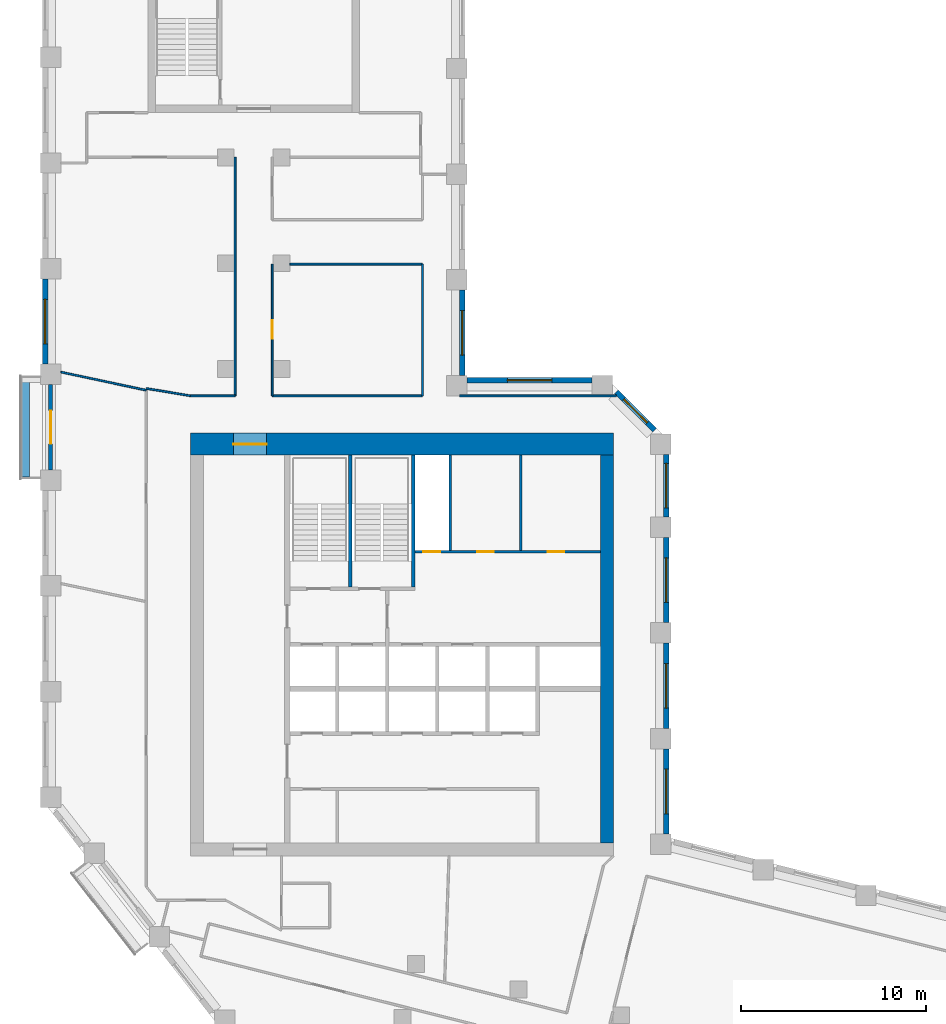
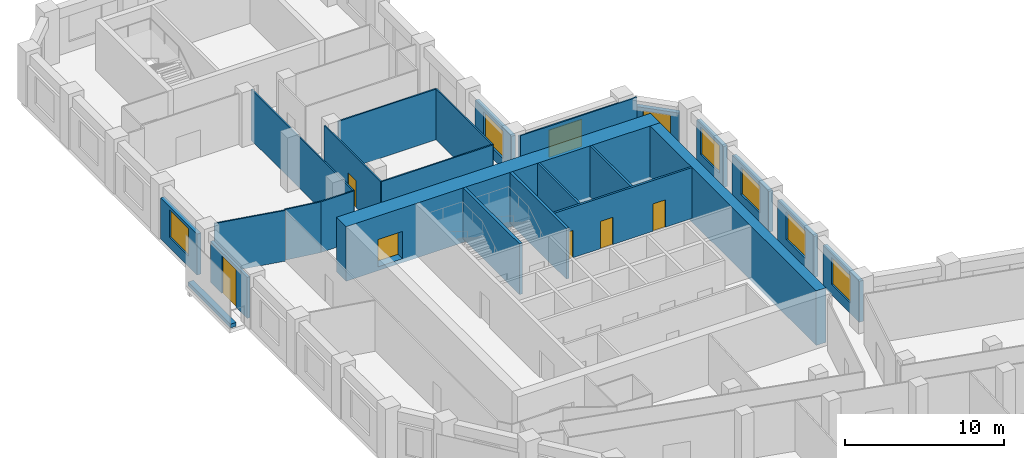
# One storey, part 6 of 10: 26 walls, 8 windows, 6 doors, 14 openings.
"""IFC4 building model written with IfcOpenShell, lengths in metres."""

from ifc_helpers import new_model, si_unit, direction, frame, frame_2d, origin, place, context, subcontext, project, spatial, rectangle, extrude, material, layer, layer_set, type_object, element, fill, save


model = new_model("IFC4")

# Units and contexts
model_context = context("Model", 3, precision=1e-05, world=origin(), true_north=direction((0.0, 1.0)))
body_context = subcontext(model_context, "Body", "Model", "MODEL_VIEW")
ifc_project = project(units=[si_unit("LENGTHUNIT", "METRE"), si_unit("AREAUNIT", "SQUARE_METRE"), si_unit("VOLUMEUNIT", "CUBIC_METRE"), si_unit("PLANEANGLEUNIT", "RADIAN"), si_unit("MASSUNIT", "GRAM", prefix="KILO")], contexts=[model_context])

# Site, building, storey
site_placement = place(None, origin())
site = spatial("IfcSite", under=ifc_project, at=site_placement, CompositionType="ELEMENT")
building_placement = place(site_placement, origin())
building = spatial("IfcBuilding", under=site, at=building_placement, Name="Meshkara Civic Tower", CompositionType="ELEMENT")
storey_placement = place(building_placement, frame((0.0, 0.0, 255.0)))
storey = spatial("IfcBuildingStorey", under=building, at=storey_placement, Name="L58", CompositionType="ELEMENT", Elevation=255.0)

# Wall, openings, doors
ifc_material_1 = material(Name="Blockwork", Category="masonry")
ifc_layer_1 = layer(ifc_material_1, 0.14990234375)
ifc_layer_set_1 = layer_set([ifc_layer_1], Name="Core partition 150")
wall_type_1 = type_object("IfcWallType", Name="Core partition 150", PredefinedType="PARTITIONING", material=ifc_layer_set_1)
wall_1_placement = place(storey_placement, frame((20.10009765625, 30.5, 0.0), z_axis=(0.0, 0.0, 1.0), x_axis=(1.0, 0.0, 0.0)))
wall_1 = element("IfcWall", 1, at=wall_1_placement, inside=storey, type_object=wall_type_1, Name="L58-C010", PredefinedType="PARTITIONING", context=body_context, shape_type="SweptSolid", body=[
    extrude(rectangle(XDim=10.0, YDim=0.14990234375, at=frame_2d((5.0, 0.0))), origin(), (0.0, 0.0, 1.0), 3.89990234375),
])
opening_1_placement = place(wall_1_placement, frame((0.449951171875, 0.0, 0.0)))
opening_1 = element("IfcOpeningElement", 2, at=opening_1_placement, cuts=wall_1, Name="Opening L58-K012", PredefinedType="OPENING", context=body_context, shape_type="SweptSolid", body=[
    extrude(rectangle(XDim=0.89990234375, YDim=2.10009765625, at=frame_2d((0.449951171875, 1.050048828125))), frame((0.0, 0.0849609375, 0.0), z_axis=(0.0, -1.0, 0.0), x_axis=(1.0, 0.0, 0.0)), (0.0, 0.0, 1.0), 0.169921875),
])
opening_2_placement = place(wall_1_placement, frame((3.35009765625, 0.0, 0.0)))
opening_2 = element("IfcOpeningElement", 3, at=opening_2_placement, cuts=wall_1, Name="Opening L58-K013", PredefinedType="OPENING", context=body_context, shape_type="SweptSolid", body=[
    extrude(rectangle(XDim=0.89990234375, YDim=2.10009765625, at=frame_2d((0.449951171875, 1.050048828125))), frame((0.0, 0.0849609375, 0.0), z_axis=(0.0, -1.0, 0.0), x_axis=(1.0, 0.0, 0.0)), (0.0, 0.0, 1.0), 0.169921875),
])
opening_3_placement = place(wall_1_placement, frame((7.14990234375, 0.0, 0.0)))
opening_3 = element("IfcOpeningElement", 4, at=opening_3_placement, cuts=wall_1, Name="Opening L58-K014", PredefinedType="OPENING", context=body_context, shape_type="SweptSolid", body=[
    extrude(rectangle(XDim=0.89990234375, YDim=2.10009765625, at=frame_2d((0.449951171875, 1.050048828125))), frame((0.0, 0.0849609375, 0.0), z_axis=(0.0, -1.0, 0.0), x_axis=(1.0, 0.0, 0.0)), (0.0, 0.0, 1.0), 0.169921875),
])
ifc_material_2 = material(Name="Timber door leaf in steel frame", Category="steel")
door_type_1 = type_object("IfcDoorType", Name="Core room door 900", OperationType="SINGLE_SWING_LEFT", PredefinedType="DOOR", material=ifc_material_2)
door_1_placement = place(opening_2_placement, origin())
door_1 = element("IfcDoor", 5, at=door_1_placement, inside=storey, type_object=door_type_1, Name="L58-K013", OperationType="SINGLE_SWING_RIGHT", OverallHeight=2.10009765625, OverallWidth=0.89990234375, PredefinedType="DOOR", context=body_context, shape_type="SweptSolid", body=[
    extrude(rectangle(XDim=0.89990234375, YDim=2.10009765625, at=frame_2d((0.449951171875, 1.050048828125))), frame((0.0, 0.02490234375, 0.0), z_axis=(0.0, -1.0, 0.0), x_axis=(1.0, 0.0, 0.0)), (0.0, 0.0, 1.0), 0.050048828125),
])
fill(opening_2, door_1)
ifc_material_3 = material(Name="Fire-rated door leaf in steel frame", Category="steel")
door_type_2 = type_object("IfcDoorType", Name="Riser door 900", OperationType="SINGLE_SWING_LEFT", PredefinedType="DOOR", material=ifc_material_3)
door_2_placement = place(opening_1_placement, origin())
door_2 = element("IfcDoor", 6, at=door_2_placement, inside=storey, type_object=door_type_2, Name="L58-K012", OperationType="SINGLE_SWING_RIGHT", OverallHeight=2.10009765625, OverallWidth=0.89990234375, PredefinedType="DOOR", context=body_context, shape_type="SweptSolid", body=[
    extrude(rectangle(XDim=0.89990234375, YDim=2.10009765625, at=frame_2d((0.449951171875, 1.050048828125))), frame((0.0, 0.02490234375, 0.0), z_axis=(0.0, -1.0, 0.0), x_axis=(1.0, 0.0, 0.0)), (0.0, 0.0, 1.0), 0.050048828125),
])
fill(opening_1, door_2)
ifc_material_4 = material(Name="Timber door leaf in steel frame", Category="steel")
door_type_3 = type_object("IfcDoorType", Name="WC door 900", OperationType="SINGLE_SWING_LEFT", PredefinedType="DOOR", material=ifc_material_4)
door_3_placement = place(opening_3_placement, origin())
door_3 = element("IfcDoor", 7, at=door_3_placement, inside=storey, type_object=door_type_3, Name="L58-K014", OperationType="SINGLE_SWING_LEFT", OverallHeight=2.10009765625, OverallWidth=0.89990234375, PredefinedType="DOOR", context=body_context, shape_type="SweptSolid", body=[
    extrude(rectangle(XDim=0.89990234375, YDim=2.10009765625, at=frame_2d((0.449951171875, 1.050048828125))), frame((0.0, 0.02490234375, 0.0), z_axis=(0.0, -1.0, 0.0), x_axis=(1.0, 0.0, 0.0)), (0.0, 0.0, 1.0), 0.050048828125),
])
fill(opening_3, door_3)

# Walls
for number, where, z_axis, x_axis, name in (
    (8, (22.0, 30.574951171875, 0.0), (0.0, 0.0, 1.0), (0.0, 1.0, 0.0), "L58-C018"),
    (9, (25.800048828125, 30.574951171875, 0.0), (0.0, 0.0, 1.0), (0.0, 1.0, 0.0), "L58-C020"),
):
    element("IfcWall", number, at=place(storey_placement, frame(where, z_axis=z_axis, x_axis=x_axis)), inside=storey, type_object=wall_type_1, Name=name, PredefinedType="PARTITIONING", context=body_context, shape_type="SweptSolid", body=[
        extrude(rectangle(XDim=5.125, YDim=0.14990234375, at=frame_2d((2.5625, 0.0))), origin(), (0.0, 0.0, 1.0), 3.89990234375),
    ])

# Wall, opening, door
ifc_material_5 = material(Name="Concrete C60", Category="concrete")
ifc_layer_2 = layer(ifc_material_5, 1.199951171875)
ifc_layer_set_2 = layer_set([ifc_layer_2], Name="Core ring wall 1200 C60")
wall_type_2 = type_object("IfcWallType", Name="Core ring wall 1200 C60", PredefinedType="SHEAR", material=ifc_layer_set_2)
wall_2_placement = place(storey_placement, frame((8.0, 36.300048828125, -0.300048828125), z_axis=(0.0, 0.0, 1.0), x_axis=(1.0, 0.0, 0.0)))
wall_2 = element("IfcWall", 10, at=wall_2_placement, inside=storey, type_object=wall_type_2, Name="L58-C002", PredefinedType="SHEAR", context=body_context, shape_type="SweptSolid", body=[
    extrude(rectangle(XDim=22.800048828125, YDim=1.199951171875, at=frame_2d((11.39990234375, 0.0))), origin(), (0.0, 0.0, 1.0), 4.199951171875),
])
opening_4_placement = place(wall_2_placement, frame((2.300048828125, 0.0, 0.300048828125)))
opening_4 = element("IfcOpeningElement", 11, at=opening_4_placement, cuts=wall_2, Name="Opening L58-K020", PredefinedType="OPENING", context=body_context, shape_type="SweptSolid", body=[
    extrude(rectangle(XDim=1.800048828125, YDim=2.10009765625, at=frame_2d((0.89990234375, 1.050048828125))), frame((0.0, 0.60986328125, 0.0), z_axis=(0.0, -1.0, 0.0), x_axis=(1.0, 0.0, 0.0)), (0.0, 0.0, 1.0), 1.219970703125),
])
ifc_material_6 = material(Name="Fire-rated door leaf in steel frame", Category="steel")
door_type_4 = type_object("IfcDoorType", Name="Core double door 1800 EI 60", OperationType="DOUBLE_DOOR_SINGLE_SWING", PredefinedType="DOOR", material=ifc_material_6)
door_4_placement = place(opening_4_placement, origin())
door_4 = element("IfcDoor", 12, at=door_4_placement, inside=storey, type_object=door_type_4, Name="L58-K020", OperationType="DOUBLE_DOOR_SINGLE_SWING", OverallHeight=2.10009765625, OverallWidth=1.800048828125, PredefinedType="DOOR", context=body_context, shape_type="SweptSolid", body=[
    extrude(rectangle(XDim=1.800048828125, YDim=2.10009765625, at=frame_2d((0.89990234375, 1.050048828125))), frame((0.0, 0.02490234375, 0.0), z_axis=(0.0, -1.0, 0.0), x_axis=(1.0, 0.0, 0.0)), (0.0, 0.0, 1.0), 0.050048828125),
])
fill(opening_4, door_4)

# Walls
ifc_material_7 = material(Name="Concrete C60", Category="concrete")
ifc_layer_3 = layer(ifc_material_7, 0.699951171875)
ifc_layer_set_3 = layer_set([ifc_layer_3], Name="Core ring wall 700 C60")
wall_type_3 = type_object("IfcWallType", Name="Core ring wall 700 C60", PredefinedType="SHEAR", material=ifc_layer_set_3)
wall_3_placement = place(storey_placement, frame((30.449951171875, 14.800048828125, -0.300048828125), z_axis=(0.0, 0.0, 1.0), x_axis=(0.0, 1.0, 0.0)))
element("IfcWall", 13, at=wall_3_placement, inside=storey, type_object=wall_type_3, Name="L58-C004", PredefinedType="SHEAR", context=body_context, shape_type="SweptSolid", body=[
    extrude(rectangle(XDim=20.89990234375, YDim=0.699951171875, at=frame_2d((10.449951171875, 0.0))), origin(), (0.0, 0.0, 1.0), 4.199951171875),
])
ifc_material_8 = material(Name="Corridor wall 100")
ifc_layer_4 = layer(ifc_material_8, 0.10009765625)
ifc_layer_set_4 = layer_set([ifc_layer_4], Name="Corridor wall 100")
wall_type_4 = type_object("IfcWallType", Name="Corridor wall 100", PredefinedType="PARTITIONING", material=ifc_layer_set_4)
wall_4_placement = place(storey_placement, frame((8.0, 38.89990234375, 0.0), z_axis=(0.0, 0.0, 1.0), x_axis=(-0.986383073668, 0.16446407505, 0.0)))
element("IfcWall", 14, at=wall_4_placement, inside=storey, type_object=wall_type_4, Name="L58-W007", PredefinedType="PARTITIONING", context=body_context, shape_type="SweptSolid", body=[
    extrude(rectangle(XDim=2.43310546875, YDim=0.10009765625, at=frame_2d((1.216552734375, 0.0))), origin(), (0.0, 0.0, 1.0), 3.89990234375),
])
wall_5_placement = place(storey_placement, frame((10.39990234375, 38.89990234375, 0.0), z_axis=(0.0, 0.0, 1.0), x_axis=(-1.0, 0.0, 0.0)))
element("IfcWall", 15, at=wall_5_placement, inside=storey, type_object=wall_type_4, Name="L58-W012", PredefinedType="PARTITIONING", context=body_context, shape_type="SweptSolid", body=[
    extrude(rectangle(XDim=2.39990234375, YDim=0.10009765625, at=frame_2d((1.199951171875, 0.0))), origin(), (0.0, 0.0, 1.0), 3.89990234375),
])
wall_6_placement = place(storey_placement, frame((10.39990234375, 51.77001953125, 0.0), z_axis=(0.0, 0.0, 1.0), x_axis=(0.0, -1.0, 0.0)))
element("IfcWall", 16, at=wall_6_placement, inside=storey, type_object=wall_type_4, Name="L58-W013", PredefinedType="PARTITIONING", context=body_context, shape_type="SweptSolid", body=[
    extrude(rectangle(XDim=12.8701171875, YDim=0.10009765625, at=frame_2d((6.43505859375, 0.0))), origin(), (0.0, 0.0, 1.0), 3.89990234375),
])

# Wall, opening, door
wall_7_placement = place(storey_placement, frame((12.39990234375, 38.89990234375, 0.0), z_axis=(0.0, 0.0, 1.0), x_axis=(0.0, 1.0, 0.0)))
wall_7 = element("IfcWall", 17, at=wall_7_placement, inside=storey, type_object=wall_type_4, Name="L58-W014", PredefinedType="PARTITIONING", context=body_context, shape_type="SweptSolid", body=[
    extrude(rectangle(XDim=7.10009765625, YDim=0.10009765625, at=frame_2d((3.550048828125, 0.0))), origin(), (0.0, 0.0, 1.0), 3.89990234375),
])
opening_5_placement = place(wall_7_placement, frame((3.080078125, 0.0, 0.0)))
opening_5 = element("IfcOpeningElement", 18, at=opening_5_placement, cuts=wall_7, Name="Opening L58-D015", PredefinedType="OPENING", context=body_context, shape_type="SweptSolid", body=[
    extrude(rectangle(XDim=1.0, YDim=2.10009765625, at=frame_2d((0.5, 1.050048828125))), frame((0.0, 0.06005859375, 0.0), z_axis=(0.0, -1.0, 0.0), x_axis=(1.0, 0.0, 0.0)), (0.0, 0.0, 1.0), 0.1201171875),
])
ifc_material_9 = material(Name="Door 1000 x 2100")
door_type_5 = type_object("IfcDoorType", Name="Door 1000 x 2100", OperationType="SINGLE_SWING_LEFT", PredefinedType="DOOR", material=ifc_material_9)
door_5_placement = place(opening_5_placement, origin())
door_5 = element("IfcDoor", 19, at=door_5_placement, inside=storey, type_object=door_type_5, Name="L58-D015", OperationType="SINGLE_SWING_LEFT", OverallHeight=2.10009765625, OverallWidth=1.0, PredefinedType="DOOR", context=body_context, shape_type="SweptSolid", body=[
    extrude(rectangle(XDim=1.0, YDim=2.10009765625, at=frame_2d((0.5, 1.050048828125))), frame((0.0, 0.02490234375, 0.0), z_axis=(0.0, -1.0, 0.0), x_axis=(1.0, 0.0, 0.0)), (0.0, 0.0, 1.0), 0.050048828125),
])
fill(opening_5, door_5)

# Walls
wall_8_placement = place(storey_placement, frame((13.35009765625, 46.0, 0.0), z_axis=(0.0, 0.0, 1.0), x_axis=(1.0, 0.0, 0.0)))
element("IfcWall", 20, at=wall_8_placement, inside=storey, type_object=wall_type_4, Name="L58-W017", PredefinedType="PARTITIONING", context=body_context, shape_type="SweptSolid", body=[
    extrude(rectangle(XDim=7.14990234375, YDim=0.10009765625, at=frame_2d((3.574951171875, 0.0))), origin(), (0.0, 0.0, 1.0), 3.89990234375),
])
wall_9_placement = place(storey_placement, frame((20.5, 38.89990234375, 0.0), z_axis=(0.0, 0.0, 1.0), x_axis=(-1.0, 0.0, 0.0)))
element("IfcWall", 21, at=wall_9_placement, inside=storey, type_object=wall_type_4, Name="L58-W021", PredefinedType="PARTITIONING", context=body_context, shape_type="SweptSolid", body=[
    extrude(rectangle(XDim=8.10009765625, YDim=0.10009765625, at=frame_2d((4.050048828125, 0.0))), origin(), (0.0, 0.0, 1.0), 3.89990234375),
])
wall_10_placement = place(storey_placement, frame((20.5, 46.0, 0.0), z_axis=(0.0, 0.0, 1.0), x_axis=(0.0, -1.0, 0.0)))
element("IfcWall", 22, at=wall_10_placement, inside=storey, type_object=wall_type_4, Name="L58-W022", PredefinedType="PARTITIONING", context=body_context, shape_type="SweptSolid", body=[
    extrude(rectangle(XDim=7.10009765625, YDim=0.10009765625, at=frame_2d((3.550048828125, 0.0))), origin(), (0.0, 0.0, 1.0), 3.89990234375),
])
wall_11_placement = place(storey_placement, frame((30.9560546875, 38.89990234375, 0.0), z_axis=(0.0, 0.0, 1.0), x_axis=(-1.0, 0.0, 0.0)))
element("IfcWall", 23, at=wall_11_placement, inside=storey, type_object=wall_type_4, Name="L58-W030", PredefinedType="PARTITIONING", context=body_context, shape_type="SweptSolid", body=[
    extrude(rectangle(XDim=8.4560546875, YDim=0.10009765625, at=frame_2d((4.22802734375, 0.0))), origin(), (0.0, 0.0, 1.0), 3.89990234375),
])

# Wall, opening, window
ifc_material_10 = material(Name="Insulated infill panel with bronze anodised aluminium cladding", Category="aluminium")
ifc_layer_5 = layer(ifc_material_10, 0.300048828125)
ifc_layer_set_5 = layer_set([ifc_layer_5], Name="EXTERNAL INFILL WALL 300")
wall_type_5 = type_object("IfcWallType", Name="EXTERNAL INFILL WALL 300", PredefinedType="SOLIDWALL", material=ifc_layer_set_5)
wall_12_placement = place(storey_placement, frame((33.64990234375, 15.26904296875, 0.0), z_axis=(0.0, 0.0, 1.0), x_axis=(0.0, 1.0, 0.0)))
wall_12 = element("IfcWall", 24, at=wall_12_placement, inside=storey, type_object=wall_type_5, Name="External wall", PredefinedType="SOLIDWALL", context=body_context, shape_type="SweptSolid", body=[
    extrude(rectangle(XDim=4.599853515625, YDim=0.300048828125, at=frame_2d((2.2998046875, 0.0))), origin(), (0.0, 0.0, 1.0), 3.14990234375),
])
opening_6_placement = place(wall_12_placement, frame((1.10009765625, 0.0, 0.800048828125)))
opening_6 = element("IfcOpeningElement", 25, at=opening_6_placement, cuts=wall_12, Name="Opening W7", PredefinedType="OPENING", context=body_context, shape_type="SweptSolid", body=[
    extrude(rectangle(XDim=2.39990234375, YDim=2.10009765625, at=frame_2d((1.199951171875, 1.050048828125))), frame((0.0, 0.159912109375, 0.0), z_axis=(0.0, -1.0, 0.0), x_axis=(1.0, 0.0, 0.0)), (0.0, 0.0, 1.0), 0.320068359375),
])
ifc_material_11 = material(Name="Tinted double glazing", Category="glass")
window_type_1 = type_object("IfcWindowType", Name="WINDOW 2400x2100", PartitioningType="DOUBLE_PANEL_VERTICAL", PredefinedType="WINDOW", material=ifc_material_11)
window_1_placement = place(opening_6_placement, origin())
window_1 = element("IfcWindow", 26, at=window_1_placement, inside=storey, type_object=window_type_1, Name="Window", OverallHeight=2.10009765625, OverallWidth=2.39990234375, PartitioningType="DOUBLE_PANEL_VERTICAL", PredefinedType="WINDOW", context=body_context, shape_type="SweptSolid", body=[
    extrude(rectangle(XDim=2.39990234375, YDim=2.10009765625, at=frame_2d((1.199951171875, 1.050048828125))), frame((0.0, 0.030029296875, 0.0), z_axis=(0.0, -1.0, 0.0), x_axis=(1.0, 0.0, 0.0)), (0.0, 0.0, 1.0), 0.06005859375),
])
fill(opening_6, window_1)

wall_13_placement = place(storey_placement, frame((33.64990234375, 20.968994140625, 0.0), z_axis=(0.0, 0.0, 1.0), x_axis=(0.0, 1.0, 0.0)))
wall_13 = element("IfcWall", 27, at=wall_13_placement, inside=storey, type_object=wall_type_5, Name="External wall", PredefinedType="SOLIDWALL", context=body_context, shape_type="SweptSolid", body=[
    extrude(rectangle(XDim=4.60009765625, YDim=0.300048828125, at=frame_2d((2.300048828125, 0.0))), origin(), (0.0, 0.0, 1.0), 3.14990234375),
])
opening_7_placement = place(wall_13_placement, frame((1.10009765625, 0.0, 0.800048828125)))
opening_7 = element("IfcOpeningElement", 28, at=opening_7_placement, cuts=wall_13, Name="Opening W7", PredefinedType="OPENING", context=body_context, shape_type="SweptSolid", body=[
    extrude(rectangle(XDim=2.39990234375, YDim=2.10009765625, at=frame_2d((1.199951171875, 1.050048828125))), frame((0.0, 0.159912109375, 0.0), z_axis=(0.0, -1.0, 0.0), x_axis=(1.0, 0.0, 0.0)), (0.0, 0.0, 1.0), 0.320068359375),
])
window_2_placement = place(opening_7_placement, origin())
window_2 = element("IfcWindow", 29, at=window_2_placement, inside=storey, type_object=window_type_1, Name="Window", OverallHeight=2.10009765625, OverallWidth=2.39990234375, PartitioningType="DOUBLE_PANEL_VERTICAL", PredefinedType="WINDOW", context=body_context, shape_type="SweptSolid", body=[
    extrude(rectangle(XDim=2.39990234375, YDim=2.10009765625, at=frame_2d((1.199951171875, 1.050048828125))), frame((0.0, 0.030029296875, 0.0), z_axis=(0.0, -1.0, 0.0), x_axis=(1.0, 0.0, 0.0)), (0.0, 0.0, 1.0), 0.06005859375),
])
fill(opening_7, window_2)

wall_14_placement = place(storey_placement, frame((33.64990234375, 26.6689453125, 0.0), z_axis=(0.0, 0.0, 1.0), x_axis=(0.0, 1.0, 0.0)))
wall_14 = element("IfcWall", 30, at=wall_14_placement, inside=storey, type_object=wall_type_5, Name="External wall", PredefinedType="SOLIDWALL", context=body_context, shape_type="SweptSolid", body=[
    extrude(rectangle(XDim=4.60009765625, YDim=0.300048828125, at=frame_2d((2.300048828125, 0.0))), origin(), (0.0, 0.0, 1.0), 3.14990234375),
])
opening_8_placement = place(wall_14_placement, frame((1.10009765625, 0.0, 0.800048828125)))
opening_8 = element("IfcOpeningElement", 31, at=opening_8_placement, cuts=wall_14, Name="Opening W7", PredefinedType="OPENING", context=body_context, shape_type="SweptSolid", body=[
    extrude(rectangle(XDim=2.39990234375, YDim=2.10009765625, at=frame_2d((1.199951171875, 1.050048828125))), frame((0.0, 0.159912109375, 0.0), z_axis=(0.0, -1.0, 0.0), x_axis=(1.0, 0.0, 0.0)), (0.0, 0.0, 1.0), 0.320068359375),
])
window_3_placement = place(opening_8_placement, origin())
window_3 = element("IfcWindow", 32, at=window_3_placement, inside=storey, type_object=window_type_1, Name="Window", OverallHeight=2.10009765625, OverallWidth=2.39990234375, PartitioningType="DOUBLE_PANEL_VERTICAL", PredefinedType="WINDOW", context=body_context, shape_type="SweptSolid", body=[
    extrude(rectangle(XDim=2.39990234375, YDim=2.10009765625, at=frame_2d((1.199951171875, 1.050048828125))), frame((0.0, 0.030029296875, 0.0), z_axis=(0.0, -1.0, 0.0), x_axis=(1.0, 0.0, 0.0)), (0.0, 0.0, 1.0), 0.06005859375),
])
fill(opening_8, window_3)

wall_15_placement = place(storey_placement, frame((33.64990234375, 32.368896484375, 0.0), z_axis=(0.0, 0.0, 1.0), x_axis=(0.0, 1.0, 0.0)))
wall_15 = element("IfcWall", 33, at=wall_15_placement, inside=storey, type_object=wall_type_5, Name="External wall", PredefinedType="SOLIDWALL", context=body_context, shape_type="SweptSolid", body=[
    extrude(rectangle(XDim=3.375, YDim=0.300048828125, at=frame_2d((1.6875, 0.0))), origin(), (0.0, 0.0, 1.0), 3.14990234375),
])
opening_9_placement = place(wall_15_placement, frame((0.488037109375, 0.0, 0.800048828125)))
opening_9 = element("IfcOpeningElement", 34, at=opening_9_placement, cuts=wall_15, Name="Opening W7", PredefinedType="OPENING", context=body_context, shape_type="SweptSolid", body=[
    extrude(rectangle(XDim=2.39990234375, YDim=2.10009765625, at=frame_2d((1.199951171875, 1.050048828125))), frame((0.0, 0.159912109375, 0.0), z_axis=(0.0, -1.0, 0.0), x_axis=(1.0, 0.0, 0.0)), (0.0, 0.0, 1.0), 0.320068359375),
])
window_4_placement = place(opening_9_placement, origin())
window_4 = element("IfcWindow", 35, at=window_4_placement, inside=storey, type_object=window_type_1, Name="Window", OverallHeight=2.10009765625, OverallWidth=2.39990234375, PartitioningType="DOUBLE_PANEL_VERTICAL", PredefinedType="WINDOW", context=body_context, shape_type="SweptSolid", body=[
    extrude(rectangle(XDim=2.39990234375, YDim=2.10009765625, at=frame_2d((1.199951171875, 1.050048828125))), frame((0.0, 0.030029296875, 0.0), z_axis=(0.0, -1.0, 0.0), x_axis=(1.0, 0.0, 0.0)), (0.0, 0.0, 1.0), 0.06005859375),
])
fill(opening_9, window_4)

wall_16_placement = place(storey_placement, frame((33.011962890625, 37.055908203125, 0.0), z_axis=(0.0, 0.0, 1.0), x_axis=(-0.707064797706, 0.707148762175, 0.0)))
wall_16 = element("IfcWall", 36, at=wall_16_placement, inside=storey, type_object=wall_type_5, Name="External wall", PredefinedType="SOLIDWALL", context=body_context, shape_type="SweptSolid", body=[
    extrude(rectangle(XDim=2.90771484375, YDim=0.300048828125, at=frame_2d((1.453857421875, 0.0))), origin(), (0.0, 0.0, 1.0), 3.14990234375),
])
opening_10_placement = place(wall_16_placement, frame((0.553955078125, 0.0, 0.800048828125)))
opening_10 = element("IfcOpeningElement", 37, at=opening_10_placement, cuts=wall_16, Name="Opening W9", PredefinedType="OPENING", context=body_context, shape_type="SweptSolid", body=[
    extrude(rectangle(XDim=1.800048828125, YDim=2.10009765625, at=frame_2d((0.89990234375, 1.050048828125))), frame((0.0, 0.159912109375, 0.0), z_axis=(0.0, -1.0, 0.0), x_axis=(1.0, 0.0, 0.0)), (0.0, 0.0, 1.0), 0.320068359375),
])
ifc_material_12 = material(Name="Tinted double glazing", Category="glass")
window_type_2 = type_object("IfcWindowType", Name="WINDOW 1800x2100", PartitioningType="DOUBLE_PANEL_VERTICAL", PredefinedType="WINDOW", material=ifc_material_12)
window_5_placement = place(opening_10_placement, origin())
window_5 = element("IfcWindow", 38, at=window_5_placement, inside=storey, type_object=window_type_2, Name="Window", OverallHeight=2.10009765625, OverallWidth=1.800048828125, PartitioningType="DOUBLE_PANEL_VERTICAL", PredefinedType="WINDOW", context=body_context, shape_type="SweptSolid", body=[
    extrude(rectangle(XDim=1.800048828125, YDim=2.10009765625, at=frame_2d((0.89990234375, 1.050048828125))), frame((0.0, 0.030029296875, 0.0), z_axis=(0.0, -1.0, 0.0), x_axis=(1.0, 0.0, 0.0)), (0.0, 0.0, 1.0), 0.06005859375),
])
fill(opening_10, window_5)

wall_17_placement = place(storey_placement, frame((29.64404296875, 39.75, 0.0), z_axis=(0.0, 0.0, 1.0), x_axis=(-1.0, 0.0, 0.0)))
wall_17 = element("IfcWall", 39, at=wall_17_placement, inside=storey, type_object=wall_type_5, Name="External wall", PredefinedType="SOLIDWALL", context=body_context, shape_type="SweptSolid", body=[
    extrude(rectangle(XDim=6.744140625, YDim=0.300048828125, at=frame_2d((3.3720703125, 0.0))), origin(), (0.0, 0.0, 1.0), 3.14990234375),
])
opening_11_placement = place(wall_17_placement, frame((2.172119140625, 0.0, 0.800048828125)))
opening_11 = element("IfcOpeningElement", 40, at=opening_11_placement, cuts=wall_17, Name="Opening W7", PredefinedType="OPENING", context=body_context, shape_type="SweptSolid", body=[
    extrude(rectangle(XDim=2.39990234375, YDim=2.10009765625, at=frame_2d((1.199951171875, 1.050048828125))), frame((0.0, 0.159912109375, 0.0), z_axis=(0.0, -1.0, 0.0), x_axis=(1.0, 0.0, 0.0)), (0.0, 0.0, 1.0), 0.320068359375),
])
window_6_placement = place(opening_11_placement, origin())
window_6 = element("IfcWindow", 41, at=window_6_placement, inside=storey, type_object=window_type_1, Name="Window", OverallHeight=2.10009765625, OverallWidth=2.39990234375, PartitioningType="DOUBLE_PANEL_VERTICAL", PredefinedType="WINDOW", context=body_context, shape_type="SweptSolid", body=[
    extrude(rectangle(XDim=2.39990234375, YDim=2.10009765625, at=frame_2d((1.199951171875, 1.050048828125))), frame((0.0, 0.030029296875, 0.0), z_axis=(0.0, -1.0, 0.0), x_axis=(1.0, 0.0, 0.0)), (0.0, 0.0, 1.0), 0.06005859375),
])
fill(opening_11, window_6)

wall_18_placement = place(storey_placement, frame((22.64990234375, 40.0, 0.0), z_axis=(0.0, 0.0, 1.0), x_axis=(0.0, 1.0, 0.0)))
wall_18 = element("IfcWall", 42, at=wall_18_placement, inside=storey, type_object=wall_type_5, Name="External wall", PredefinedType="SOLIDWALL", context=body_context, shape_type="SweptSolid", body=[
    extrude(rectangle(XDim=4.60009765625, YDim=0.300048828125, at=frame_2d((2.300048828125, 0.0))), origin(), (0.0, 0.0, 1.0), 3.14990234375),
])
opening_12_placement = place(wall_18_placement, frame((1.10009765625, 0.0, 0.800048828125)))
opening_12 = element("IfcOpeningElement", 43, at=opening_12_placement, cuts=wall_18, Name="Opening W7", PredefinedType="OPENING", context=body_context, shape_type="SweptSolid", body=[
    extrude(rectangle(XDim=2.39990234375, YDim=2.10009765625, at=frame_2d((1.199951171875, 1.050048828125))), frame((0.0, 0.159912109375, 0.0), z_axis=(0.0, -1.0, 0.0), x_axis=(1.0, 0.0, 0.0)), (0.0, 0.0, 1.0), 0.320068359375),
])
window_7_placement = place(opening_12_placement, origin())
window_7 = element("IfcWindow", 44, at=window_7_placement, inside=storey, type_object=window_type_1, Name="Window", OverallHeight=2.10009765625, OverallWidth=2.39990234375, PartitioningType="DOUBLE_PANEL_VERTICAL", PredefinedType="WINDOW", context=body_context, shape_type="SweptSolid", body=[
    extrude(rectangle(XDim=2.39990234375, YDim=2.10009765625, at=frame_2d((1.199951171875, 1.050048828125))), frame((0.0, 0.030029296875, 0.0), z_axis=(0.0, -1.0, 0.0), x_axis=(1.0, 0.0, 0.0)), (0.0, 0.0, 1.0), 0.06005859375),
])
fill(opening_12, window_7)

wall_19_placement = place(storey_placement, frame((0.14990234375, 45.205078125, 0.0), z_axis=(0.0, 0.0, 1.0), x_axis=(0.0, -1.0, 0.0)))
wall_19 = element("IfcWall", 45, at=wall_19_placement, inside=storey, type_object=wall_type_5, Name="External wall", PredefinedType="SOLIDWALL", context=body_context, shape_type="SweptSolid", body=[
    extrude(rectangle(XDim=4.60009765625, YDim=0.300048828125, at=frame_2d((2.300048828125, 0.0))), origin(), (0.0, 0.0, 1.0), 3.14990234375),
])
opening_13_placement = place(wall_19_placement, frame((1.10009765625, 0.0, 0.800048828125)))
opening_13 = element("IfcOpeningElement", 46, at=opening_13_placement, cuts=wall_19, Name="Opening W7", PredefinedType="OPENING", context=body_context, shape_type="SweptSolid", body=[
    extrude(rectangle(XDim=2.39990234375, YDim=2.10009765625, at=frame_2d((1.199951171875, 1.050048828125))), frame((0.0, 0.159912109375, 0.0), z_axis=(0.0, -1.0, 0.0), x_axis=(1.0, 0.0, 0.0)), (0.0, 0.0, 1.0), 0.320068359375),
])
window_8_placement = place(opening_13_placement, origin())
window_8 = element("IfcWindow", 47, at=window_8_placement, inside=storey, type_object=window_type_1, Name="Window", OverallHeight=2.10009765625, OverallWidth=2.39990234375, PartitioningType="DOUBLE_PANEL_VERTICAL", PredefinedType="WINDOW", context=body_context, shape_type="SweptSolid", body=[
    extrude(rectangle(XDim=2.39990234375, YDim=2.10009765625, at=frame_2d((1.199951171875, 1.050048828125))), frame((0.0, 0.030029296875, 0.0), z_axis=(0.0, -1.0, 0.0), x_axis=(1.0, 0.0, 0.0)), (0.0, 0.0, 1.0), 0.06005859375),
])
fill(opening_13, window_8)

# Wall, opening, door
ifc_material_13 = material(Name="Insulated infill panel with bronze anodised aluminium cladding", Category="aluminium")
ifc_layer_6 = layer(ifc_material_13, 0.199951171875)
ifc_layer_set_6 = layer_set([ifc_layer_6], Name="LOGGIA BACK WALL 200")
wall_type_6 = type_object("IfcWallType", Name="LOGGIA BACK WALL 200", PredefinedType="SOLIDWALL", material=ifc_layer_set_6)
wall_20_placement = place(storey_placement, frame((0.449951171875, 39.5048828125, 0.0), z_axis=(0.0, 0.0, 1.0), x_axis=(0.0, -1.0, 0.0)))
wall_20 = element("IfcWall", 48, at=wall_20_placement, inside=storey, type_object=wall_type_6, Name="Loggia wall", PredefinedType="SOLIDWALL", context=body_context, shape_type="SweptSolid", body=[
    extrude(rectangle(XDim=4.599853515625, YDim=0.199951171875, at=frame_2d((2.2998046875, 0.0))), origin(), (0.0, 0.0, 1.0), 3.14990234375),
])
opening_14_placement = place(wall_20_placement, frame((1.39990234375, 0.0, 0.0)))
opening_14 = element("IfcOpeningElement", 49, at=opening_14_placement, cuts=wall_20, Name="Opening L58-L001", PredefinedType="OPENING", context=body_context, shape_type="SweptSolid", body=[
    extrude(rectangle(XDim=1.800048828125, YDim=2.89990234375, at=frame_2d((0.89990234375, 1.449951171875))), frame((0.0, 0.10986328125, 0.0), z_axis=(0.0, -1.0, 0.0), x_axis=(1.0, 0.0, 0.0)), (0.0, 0.0, 1.0), 0.219970703125),
])
ifc_material_14 = material(Name="Tinted double glazing", Category="glass")
door_type_6 = type_object("IfcDoorType", Name="LOGGIA DOOR 1800x2900", OperationType="DOUBLE_DOOR_SINGLE_SWING", PredefinedType="DOOR", material=ifc_material_14)
door_6_placement = place(opening_14_placement, origin())
door_6 = element("IfcDoor", 50, at=door_6_placement, inside=storey, type_object=door_type_6, Name="L58-L001", OperationType="DOUBLE_DOOR_SINGLE_SWING", OverallHeight=2.89990234375, OverallWidth=1.800048828125, PredefinedType="DOOR", context=body_context, shape_type="SweptSolid", body=[
    extrude(rectangle(XDim=1.800048828125, YDim=2.89990234375, at=frame_2d((0.89990234375, 1.449951171875))), frame((0.0, 0.02490234375, 0.0), z_axis=(0.0, -1.0, 0.0), x_axis=(1.0, 0.0, 0.0)), (0.0, 0.0, 1.0), 0.050048828125),
])
fill(opening_14, door_6)

# Walls
ifc_material_15 = material(Name="Concrete C40", Category="concrete")
ifc_layer_7 = layer(ifc_material_15, 0.39990234375)
ifc_layer_set_7 = layer_set([ifc_layer_7], Name="PLANTER TRAY")
wall_type_7 = type_object("IfcWallType", Name="PLANTER TRAY", PredefinedType="SOLIDWALL", material=ifc_layer_set_7)
wall_21_placement = place(storey_placement, frame((-0.8798828125, 39.885009765625, 0.0), z_axis=(0.0, 0.0, 1.0), x_axis=(0.0, -1.0, 0.0)))
element("IfcWall", 51, at=wall_21_placement, inside=storey, type_object=wall_type_7, Name="Planter", PredefinedType="SOLIDWALL", context=body_context, shape_type="SweptSolid", body=[
    extrude(rectangle(XDim=5.360107421875, YDim=0.39990234375, at=frame_2d((2.68017578125, 0.0))), origin(), (0.0, 0.0, 1.0), 0.300048828125),
])
ifc_material_16 = material(Name="Partition 100")
ifc_layer_8 = layer(ifc_material_16, 0.10009765625)
ifc_layer_set_8 = layer_set([ifc_layer_8], Name="Partition 100")
wall_type_8 = type_object("IfcWallType", Name="Partition 100", PredefinedType="PARTITIONING", material=ifc_layer_set_8)
wall_22_placement = place(storey_placement, frame((5.60009765625, 39.205078125, 0.0), z_axis=(0.0, 0.0, 1.0), x_axis=(-0.97813694426, 0.207961819271, 0.0)))
element("IfcWall", 52, at=wall_22_placement, inside=storey, type_object=wall_type_8, Name="L58-W047", PredefinedType="PARTITIONING", context=body_context, shape_type="SweptSolid", body=[
    extrude(rectangle(XDim=4.702880859375, YDim=0.10009765625, at=frame_2d((2.3515625, 0.0))), origin(), (0.0, 0.0, 1.0), 3.89990234375),
])
ifc_material_17 = material(Name="Concrete C40/50", Category="concrete")
ifc_layer_9 = layer(ifc_material_17, 0.199951171875)
ifc_layer_set_9 = layer_set([ifc_layer_9], Name="Stair enclosure wall 200 C40/50")
wall_type_9 = type_object("IfcWallType", Name="Stair enclosure wall 200 C40/50", PredefinedType="SOLIDWALL", material=ifc_layer_set_9)
for number, where, z_axis, x_axis, name in (
    (53, (16.60009765625, 28.60009765625, 0.0), (0.0, 0.0, 1.0), (0.0, 1.0, 0.0), "L58-C014"),
    (54, (20.0, 28.60009765625, 0.0), (0.0, 0.0, 1.0), (0.0, 1.0, 0.0), "L58-C016"),
):
    element("IfcWall", number, at=place(storey_placement, frame(where, z_axis=z_axis, x_axis=x_axis)), inside=storey, type_object=wall_type_9, Name=name, PredefinedType="SOLIDWALL", context=body_context, shape_type="SweptSolid", body=[
        extrude(rectangle(XDim=7.099853515625, YDim=0.199951171875, at=frame_2d((3.5498046875, 0.0))), origin(), (0.0, 0.0, 1.0), 3.89990234375),
    ])

save(model, "model.ifc")
